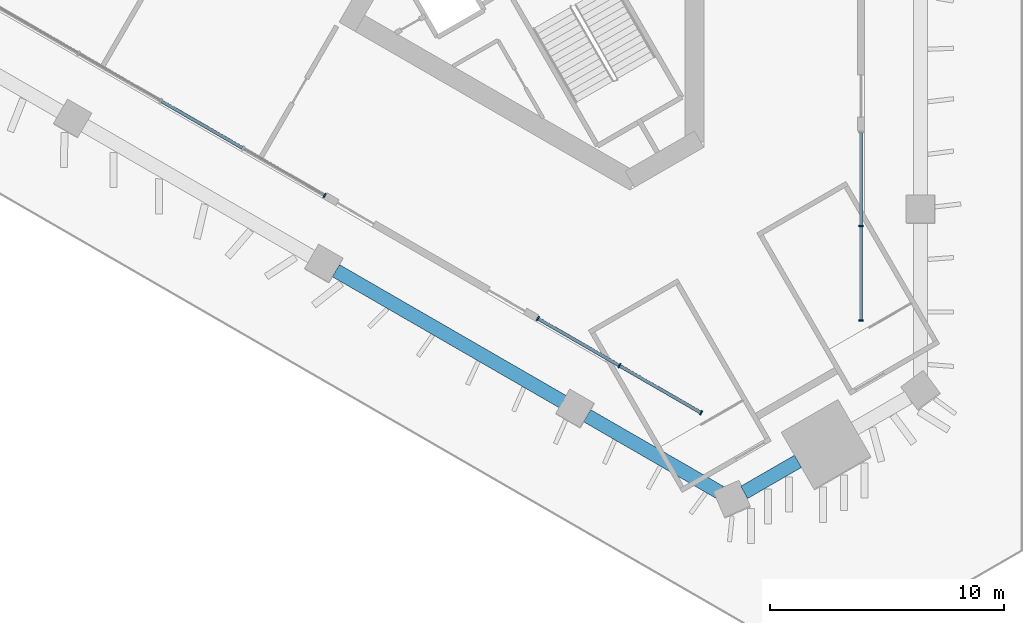
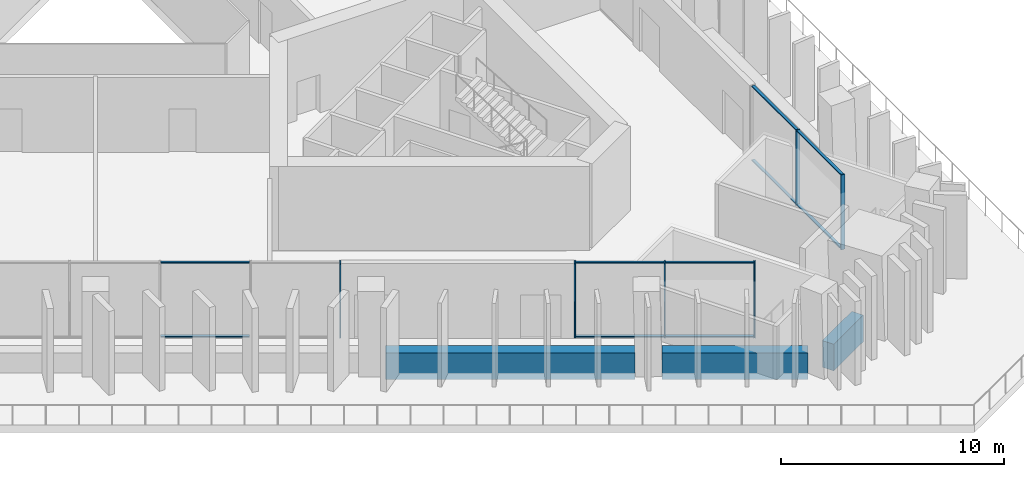
# One storey, part 3 of 31: 16 members, 3 beams, 3 elements without a shape of their own.
"""IFC4 building model written with IfcOpenShell, lengths in metres."""

from ifc_helpers import new_model, si_unit, direction, frame, origin, origin_2d, place, context, subcontext, project, spatial, rectangle, extrude, material, layer, layer_set, material_profile, profile_set, type_object, element, aggregate, save


model = new_model("IFC4")

# Units and contexts
model_context = context("Model", 3, precision=1e-05, world=origin(), true_north=direction((0.0, 1.0)))
body_context = subcontext(model_context, "Body", "Model", "MODEL_VIEW")
ifc_project = project(units=[si_unit("LENGTHUNIT", "METRE"), si_unit("AREAUNIT", "SQUARE_METRE"), si_unit("VOLUMEUNIT", "CUBIC_METRE"), si_unit("PLANEANGLEUNIT", "RADIAN"), si_unit("MASSUNIT", "GRAM", prefix="KILO")], contexts=[model_context])

# Site, building, storey
site_placement = place(None, origin())
site = spatial("IfcSite", under=ifc_project, at=site_placement, CompositionType="ELEMENT")
building_placement = place(site_placement, origin())
building = spatial("IfcBuilding", under=site, at=building_placement, Name="Jabali Bay Hotel Tower and Convention Centre", CompositionType="ELEMENT")
storey_placement = place(building_placement, frame((0.0, 0.0, 25.39990234375)))
storey = spatial("IfcBuildingStorey", under=building, at=storey_placement, Name="L04", CompositionType="ELEMENT", Elevation=25.39990234375)

# Curtain wall, members
ifc_material_1 = material(Name="Aluminium and glass", Category="aluminium")
ifc_layer = layer(ifc_material_1, 0.199951171875)
ifc_layer_set = layer_set([ifc_layer], Name="Aluminium and glass")
curtain_wall_type = type_object("IfcCurtainWallType", Name="CW6 curtain wall", PredefinedType="NOTDEFINED", material=ifc_layer_set)
curtain_wall_1_placement = place(storey_placement, origin())
curtain_wall_1 = element("IfcCurtainWall", 1, at=curtain_wall_1_placement, inside=storey, type_object=curtain_wall_type, Name="CW6 curtain wall east face L04", PredefinedType="NOTDEFINED")
ifc_material_2 = material(Name="Aluminium", Category="aluminium")
ifc_material_profile_1 = material_profile(ifc_material_2, rectangle(XDim=0.199951171875, YDim=0.06005859375, at=origin_2d()), Name="CW6 mullion 60 x 200")
ifc_profile_set_1 = profile_set([ifc_material_profile_1], Name="Aluminium")
member_type_1 = type_object("IfcMemberType", Name="CW6 mullion 60 x 200", PredefinedType="MULLION", material=ifc_profile_set_1)
member_1_placement = place(storey_placement, frame((96.5927734375, 54.5087890625, 0.0), z_axis=(0.0, 0.0, 1.0), x_axis=(1.0, 0.0, 0.0)))
member_1 = element("IfcMember", 2, at=member_1_placement, type_object=member_type_1, Name="CW6 mullion 2", PredefinedType="MULLION", context=body_context, shape_type="SweptSolid", body=[
    extrude(rectangle(XDim=0.199951171875, YDim=0.06005859375, at=origin_2d()), origin(), (0.0, 0.0, 1.0), 4.10009765625),
])
member_2_placement = place(storey_placement, frame((96.5927734375, 50.484130859375, 0.0), z_axis=(0.0, 0.0, 1.0), x_axis=(1.0, 0.0, 0.0)))
member_2 = element("IfcMember", 3, at=member_2_placement, type_object=member_type_1, Name="CW6 mullion 3", PredefinedType="MULLION", context=body_context, shape_type="SweptSolid", body=[
    extrude(rectangle(XDim=0.199951171875, YDim=0.06005859375, at=origin_2d()), origin(), (0.0, 0.0, 1.0), 4.10009765625),
])

# Curtain wall, member
curtain_wall_2_placement = place(storey_placement, origin())
curtain_wall_2 = element("IfcCurtainWall", 4, at=curtain_wall_2_placement, inside=storey, type_object=curtain_wall_type, Name="CW6 curtain wall south-west face L04", PredefinedType="NOTDEFINED")
member_3_placement = place(storey_placement, frame((73.697021484375, 55.81884765625, 0.0), z_axis=(0.0, 0.0, 1.0), x_axis=(-0.499999997944, -0.866025404971, 0.0)))
member_3 = element("IfcMember", 5, at=member_3_placement, type_object=member_type_1, Name="CW6 mullion 1", PredefinedType="MULLION", context=body_context, shape_type="SweptSolid", body=[
    extrude(rectangle(XDim=0.199951171875, YDim=0.06005859375, at=origin_2d()), origin(), (0.0, 0.0, 1.0), 4.10009765625),
])

# Curtain wall, members
curtain_wall_3_placement = place(storey_placement, origin())
curtain_wall_3 = element("IfcCurtainWall", 6, at=curtain_wall_3_placement, inside=storey, type_object=curtain_wall_type, Name="CW6 curtain wall south-west face L04", PredefinedType="NOTDEFINED")
member_4_placement = place(storey_placement, frame((89.764892578125, 46.542236328125, 0.0), z_axis=(0.0, 0.0, 1.0), x_axis=(-0.499999997944, -0.866025404971, 0.0)))
member_4 = element("IfcMember", 7, at=member_4_placement, type_object=member_type_1, Name="CW6 mullion 1", PredefinedType="MULLION", context=body_context, shape_type="SweptSolid", body=[
    extrude(rectangle(XDim=0.199951171875, YDim=0.06005859375, at=origin_2d()), origin(), (0.0, 0.0, 1.0), 4.10009765625),
])
member_5_placement = place(storey_placement, frame((86.279541015625, 48.554443359375, 0.0), z_axis=(0.0, 0.0, 1.0), x_axis=(-0.499999997944, -0.866025404971, 0.0)))
member_5 = element("IfcMember", 8, at=member_5_placement, type_object=member_type_1, Name="CW6 mullion 2", PredefinedType="MULLION", context=body_context, shape_type="SweptSolid", body=[
    extrude(rectangle(XDim=0.199951171875, YDim=0.06005859375, at=origin_2d()), origin(), (0.0, 0.0, 1.0), 4.10009765625),
])
member_6_placement = place(storey_placement, frame((82.79443359375, 50.566650390625, 0.0), z_axis=(0.0, 0.0, 1.0), x_axis=(-0.499999997944, -0.866025404971, 0.0)))
member_6 = element("IfcMember", 9, at=member_6_placement, type_object=member_type_1, Name="CW6 mullion 3", PredefinedType="MULLION", context=body_context, shape_type="SweptSolid", body=[
    extrude(rectangle(XDim=0.199951171875, YDim=0.06005859375, at=origin_2d()), origin(), (0.0, 0.0, 1.0), 4.10009765625),
])

# Member
ifc_material_profile_2 = material_profile(ifc_material_2, rectangle(XDim=0.139892578125, YDim=0.06005859375, at=origin_2d()), Name="CW6 transom 60 x 140")
ifc_profile_set_2 = profile_set([ifc_material_profile_2], Name="Aluminium")
member_type_2 = type_object("IfcMemberType", Name="CW6 transom 60 x 140", PredefinedType="USERDEFINED", material=ifc_profile_set_2)
member_7_placement = place(storey_placement, frame((96.5927734375, 58.503173828125, 0.030029296875), z_axis=(0.0, -1.0, 0.0), x_axis=(1.0, 0.0, 0.0)))
member_7 = element("IfcMember", 10, at=member_7_placement, type_object=member_type_2, Name="CW6 transom 1.1", ObjectType="TRANSOM", PredefinedType="USERDEFINED", context=body_context, shape_type="SweptSolid", body=[
    extrude(rectangle(XDim=0.139892578125, YDim=0.06005859375, at=origin_2d()), origin(), (0.0, 0.0, 1.0), 3.96435546875),
])

member_8_placement = place(storey_placement, frame((96.5927734375, 58.503173828125, 4.070068359375), z_axis=(0.0, -1.0, 0.0), x_axis=(1.0, 0.0, 0.0)))
member_8 = element("IfcMember", 11, at=member_8_placement, type_object=member_type_2, Name="CW6 transom 1.2", ObjectType="TRANSOM", PredefinedType="USERDEFINED", context=body_context, shape_type="SweptSolid", body=[
    extrude(rectangle(XDim=0.139892578125, YDim=0.06005859375, at=origin_2d()), origin(), (0.0, 0.0, 1.0), 3.96435546875),
])

member_9_placement = place(storey_placement, frame((96.5927734375, 54.478759765625, 0.030029296875), z_axis=(0.0, -1.0, 0.0), x_axis=(1.0, 0.0, 0.0)))
member_9 = element("IfcMember", 12, at=member_9_placement, type_object=member_type_2, Name="CW6 transom 2.1", ObjectType="TRANSOM", PredefinedType="USERDEFINED", context=body_context, shape_type="SweptSolid", body=[
    extrude(rectangle(XDim=0.139892578125, YDim=0.06005859375, at=origin_2d()), origin(), (0.0, 0.0, 1.0), 3.964599609375),
])

member_10_placement = place(storey_placement, frame((96.5927734375, 54.478759765625, 4.070068359375), z_axis=(0.0, -1.0, 0.0), x_axis=(1.0, 0.0, 0.0)))
member_10 = element("IfcMember", 13, at=member_10_placement, type_object=member_type_2, Name="CW6 transom 2.2", ObjectType="TRANSOM", PredefinedType="USERDEFINED", context=body_context, shape_type="SweptSolid", body=[
    extrude(rectangle(XDim=0.139892578125, YDim=0.06005859375, at=origin_2d()), origin(), (0.0, 0.0, 1.0), 3.964599609375),
])

aggregate(curtain_wall_1, [member_1, member_2, member_7, member_8, member_9, member_10])

member_11_placement = place(storey_placement, frame((70.186279296875, 57.845947265625, 0.030029296875), z_axis=(-0.866033907579, 0.499985270706, 0.0), x_axis=(-0.499985270706, -0.866033907579, 0.0)))
member_11 = element("IfcMember", 14, at=member_11_placement, type_object=member_type_2, Name="CW6 transom 2.1", ObjectType="TRANSOM", PredefinedType="USERDEFINED", context=body_context, shape_type="SweptSolid", body=[
    extrude(rectangle(XDim=0.139892578125, YDim=0.06005859375, at=origin_2d()), origin(), (0.0, 0.0, 1.0), 3.99365234375),
])

member_12_placement = place(storey_placement, frame((70.186279296875, 57.845947265625, 4.070068359375), z_axis=(-0.866033907579, 0.499985270706, 0.0), x_axis=(-0.499985270706, -0.866033907579, 0.0)))
member_12 = element("IfcMember", 15, at=member_12_placement, type_object=member_type_2, Name="CW6 transom 2.2", ObjectType="TRANSOM", PredefinedType="USERDEFINED", context=body_context, shape_type="SweptSolid", body=[
    extrude(rectangle(XDim=0.139892578125, YDim=0.06005859375, at=origin_2d()), origin(), (0.0, 0.0, 1.0), 3.99365234375),
])

aggregate(curtain_wall_2, [member_3, member_11, member_12])

member_13_placement = place(storey_placement, frame((89.739013671875, 46.55712890625, 0.030029296875), z_axis=(-0.866032785774, 0.499987213802, 0.0), x_axis=(-0.499987213802, -0.866032785774, 0.0)))
member_13 = element("IfcMember", 16, at=member_13_placement, type_object=member_type_2, Name="CW6 transom 1.1", ObjectType="TRANSOM", PredefinedType="USERDEFINED", context=body_context, shape_type="SweptSolid", body=[
    extrude(rectangle(XDim=0.139892578125, YDim=0.06005859375, at=origin_2d()), origin(), (0.0, 0.0, 1.0), 3.96435546875),
])

member_14_placement = place(storey_placement, frame((89.739013671875, 46.55712890625, 4.070068359375), z_axis=(-0.866032785774, 0.499987213802, 0.0), x_axis=(-0.499987213802, -0.866032785774, 0.0)))
member_14 = element("IfcMember", 17, at=member_14_placement, type_object=member_type_2, Name="CW6 transom 1.2", ObjectType="TRANSOM", PredefinedType="USERDEFINED", context=body_context, shape_type="SweptSolid", body=[
    extrude(rectangle(XDim=0.139892578125, YDim=0.06005859375, at=origin_2d()), origin(), (0.0, 0.0, 1.0), 3.96435546875),
])

member_15_placement = place(storey_placement, frame((86.253662109375, 48.5693359375, 0.030029296875), z_axis=(-0.866006119872, 0.500033399229, 0.0), x_axis=(-0.500033399229, -0.866006119872, 0.0)))
member_15 = element("IfcMember", 18, at=member_15_placement, type_object=member_type_2, Name="CW6 transom 2.1", ObjectType="TRANSOM", PredefinedType="USERDEFINED", context=body_context, shape_type="SweptSolid", body=[
    extrude(rectangle(XDim=0.139892578125, YDim=0.06005859375, at=origin_2d()), origin(), (0.0, 0.0, 1.0), 3.964599609375),
])

member_16_placement = place(storey_placement, frame((86.253662109375, 48.5693359375, 4.070068359375), z_axis=(-0.866006119872, 0.500033399229, 0.0), x_axis=(-0.500033399229, -0.866006119872, 0.0)))
member_16 = element("IfcMember", 19, at=member_16_placement, type_object=member_type_2, Name="CW6 transom 2.2", ObjectType="TRANSOM", PredefinedType="USERDEFINED", context=body_context, shape_type="SweptSolid", body=[
    extrude(rectangle(XDim=0.139892578125, YDim=0.06005859375, at=origin_2d()), origin(), (0.0, 0.0, 1.0), 3.964599609375),
])

aggregate(curtain_wall_3, [member_4, member_5, member_6, member_13, member_14, member_15, member_16])

# Beams
ifc_material_3 = material(Name="Concrete C60", Category="concrete")
ifc_material_profile_3 = material_profile(ifc_material_3, rectangle(XDim=0.60009765625, YDim=1.449951171875, at=origin_2d()), Name="Spandrel 600x1450")
ifc_profile_set_3 = profile_set([ifc_material_profile_3], Name="Concrete C60")
beam_type = type_object("IfcBeamType", Name="Spandrel 600x1450", PredefinedType="SPANDREL", material=ifc_profile_set_3)
beam_1_placement = place(storey_placement, frame((74.177734375, 52.605712890625, 0.375), z_axis=(0.866030381124, -0.499991378895, 0.0), x_axis=(0.499991378895, 0.866030381124, 0.0)))
element("IfcBeam", 20, at=beam_1_placement, inside=storey, type_object=beam_type, Name="Spandrel F2.4-F2.5 L04", PredefinedType="SPANDREL", context=body_context, shape_type="SweptSolid", body=[
    extrude(rectangle(XDim=0.60009765625, YDim=1.449951171875, at=origin_2d()), origin(), (0.0, 0.0, 1.0), 11.185302734375),
])
beam_2_placement = place(storey_placement, frame((84.903564453125, 46.4130859375, 0.375), z_axis=(0.866018903231, -0.500011259119, 0.0), x_axis=(0.500011259119, 0.866018903231, 0.0)))
element("IfcBeam", 21, at=beam_2_placement, inside=storey, type_object=beam_type, Name="Spandrel F2.5-V5 L04", PredefinedType="SPANDREL", context=body_context, shape_type="SweptSolid", body=[
    extrude(rectangle(XDim=0.60009765625, YDim=1.449951171875, at=origin_2d()), origin(), (0.0, 0.0, 1.0), 6.536865234375),
])
beam_3_placement = place(storey_placement, frame((91.60400390625, 43.14453125, 0.375), z_axis=(0.866010570869, 0.500025690483, 0.0), x_axis=(-0.500025690483, 0.866010570869, 0.0)))
element("IfcBeam", 22, at=beam_3_placement, inside=storey, type_object=beam_type, Name="Spandrel V5-M2 L04", PredefinedType="SPANDREL", context=body_context, shape_type="SweptSolid", body=[
    extrude(rectangle(XDim=0.60009765625, YDim=1.449951171875, at=origin_2d()), origin(), (0.0, 0.0, 1.0), 2.648193359375),
])

save(model, "model.ifc")
